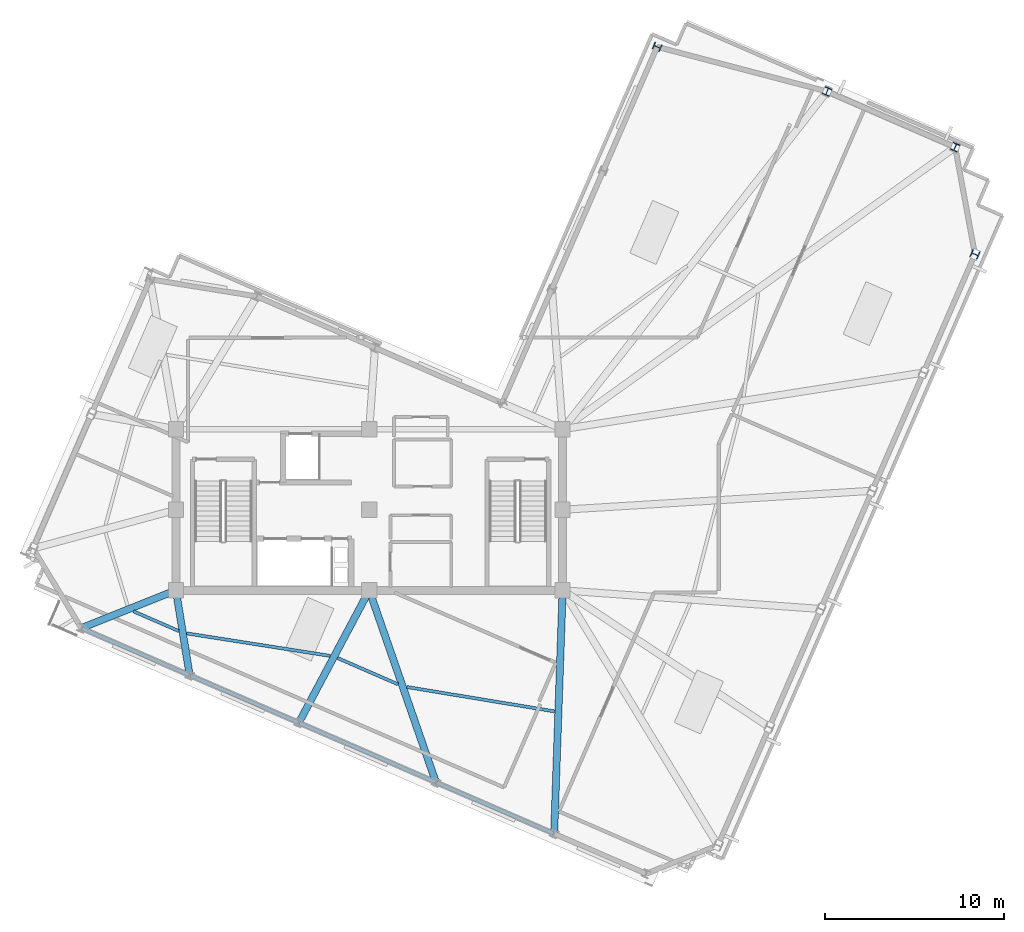
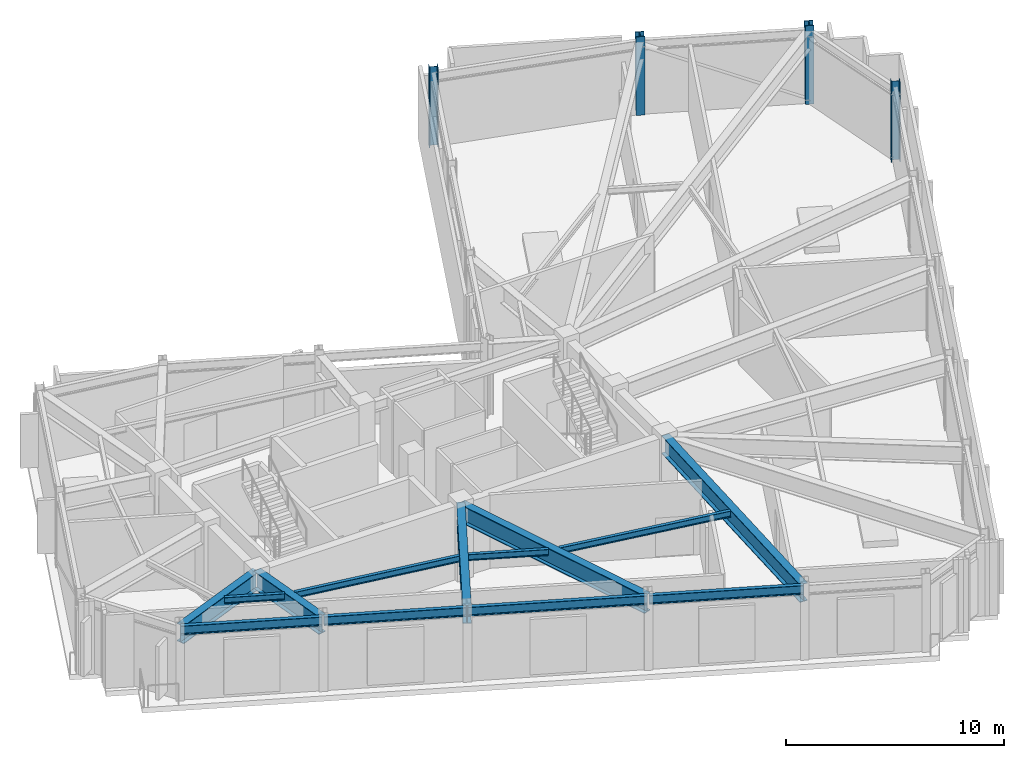
# One storey, part 2 of 11: 13 beams, 4 columns.
"""IFC4 building model written with IfcOpenShell, lengths in metres."""

from ifc_helpers import new_model, si_unit, direction, frame, origin, origin_2d, place, context, subcontext, project, spatial, i_section, extrude, material, material_profile, profile_set, type_object, element, save


model = new_model("IFC4")

# Units and contexts
model_context = context("Model", 3, precision=1e-05, world=origin(), true_north=direction((0.0, 1.0)))
body_context = subcontext(model_context, "Body", "Model", "MODEL_VIEW")
ifc_project = project(units=[si_unit("LENGTHUNIT", "METRE"), si_unit("AREAUNIT", "SQUARE_METRE"), si_unit("VOLUMEUNIT", "CUBIC_METRE"), si_unit("PLANEANGLEUNIT", "RADIAN"), si_unit("MASSUNIT", "GRAM", prefix="KILO")], contexts=[model_context])

# Site, building, storey
site_placement = place(None, origin())
site = spatial("IfcSite", under=ifc_project, at=site_placement, CompositionType="ELEMENT")
building_placement = place(site_placement, origin())
building = spatial("IfcBuilding", under=site, at=building_placement, Name="Gaonmaruhae Medical Tower", CompositionType="ELEMENT")
storey_placement = place(building_placement, frame((0.0, 0.0, 338.199951171875)))
storey = spatial("IfcBuildingStorey", under=building, at=storey_placement, Name="L81", CompositionType="ELEMENT", Elevation=338.199951171875)

# Columns
ifc_material_1 = material(Name="Steel SM420", Category="steel")
ifc_material_profile_1 = material_profile(ifc_material_1, i_section(OverallWidth=0.406982421875, OverallDepth=0.427978515625, WebThickness=0.02001953125, FlangeThickness=0.034912109375, FilletRadius=0.02197265625, at=origin_2d()), Name="H-428x407x20x35")
ifc_profile_set_1 = profile_set([ifc_material_profile_1], Name="Steel SM420")
column_type = type_object("IfcColumnType", Name="SC-01 Crown Plant Steel Column (H-428x407x20x35)", PredefinedType="COLUMN", material=ifc_profile_set_1)
for number, where, z_axis, x_axis, name in (
    (1, (58.630126953125, 26.565673828125, 0.001953125), (0.0, 0.0, 1.0), (0.398749068925, 0.917060074385, 0.0), "L81 Perimeter Tube Column S06"),
    (2, (57.525634765625, 32.552734375, 0.001953125), (0.0, 0.0, 1.0), (-0.917060074385, 0.398749068925, 0.0), "L81 Perimeter Tube Column E01"),
    (3, (50.372802734375, 35.662841796875, 0.001953125), (0.0, 0.0, 1.0), (-0.917060074385, 0.398749068925, 0.0), "L81 Perimeter Tube Column E02"),
    (4, (40.879150390625, 38.155029296875, 0.001953125), (0.0, 0.0, 1.0), (0.398749068925, 0.917060074385, 0.0), "L81 Perimeter Tube Column E03"),
):
    element("IfcColumn", number, at=place(storey_placement, frame(where, z_axis=z_axis, x_axis=x_axis)), inside=storey, type_object=column_type, Name=name, PredefinedType="COLUMN", context=body_context, shape_type="SweptSolid", body=[
        extrude(i_section(OverallWidth=0.406982421875, OverallDepth=0.427978515625, WebThickness=0.02001953125, FlangeThickness=0.034912109375, FilletRadius=0.02197265625, at=origin_2d()), origin(), (0.0, 0.0, 1.0), 4.396240234375),
    ])

# Beams
ifc_material_profile_2 = material_profile(ifc_material_1, i_section(OverallWidth=0.39990234375, OverallDepth=1.0, WebThickness=0.02197265625, FlangeThickness=0.035888671875, at=origin_2d()), Name="BH-1000x400x22x36")
ifc_profile_set_2 = profile_set([ifc_material_profile_2], Name="Steel SM420")
beam_type_1 = type_object("IfcBeamType", Name="BG-02 Refuge Floor Primary Girder (BH-1000x400x22x36)", PredefinedType="BEAM", material=ifc_profile_set_2)
beam_1_placement = place(storey_placement, frame((13.95361328125, 7.781494140625, 3.60009765625), z_axis=(-0.928579037594, -0.371134707272, 0.0), x_axis=(0.371134707272, -0.928579037594, 0.0)))
element("IfcBeam", 5, at=beam_1_placement, inside=storey, type_object=beam_type_1, Name="L81 Radial Primary Girder W01", PredefinedType="BEAM", context=body_context, shape_type="SweptSolid", body=[
    extrude(i_section(OverallWidth=0.39990234375, OverallDepth=1.0, WebThickness=0.02197265625, FlangeThickness=0.035888671875, at=origin_2d()), origin(), (0.0, 0.0, 1.0), 5.591552734375),
])
beam_2_placement = place(storey_placement, frame((14.008056640625, 7.750732421875, 3.60009765625), z_axis=(0.159685869984, -0.987167879809, 0.0), x_axis=(0.987167879809, 0.159685869984, 0.0)))
element("IfcBeam", 6, at=beam_2_placement, inside=storey, type_object=beam_type_1, Name="L81 Radial Primary Girder W02", PredefinedType="BEAM", context=body_context, shape_type="SweptSolid", body=[
    extrude(i_section(OverallWidth=0.39990234375, OverallDepth=1.0, WebThickness=0.02197265625, FlangeThickness=0.035888671875, at=origin_2d()), origin(), (0.0, 0.0, 1.0), 4.705810546875),
])
beam_3_placement = place(storey_placement, frame((24.776611328125, 7.755859375, 3.60009765625), z_axis=(-0.469618843189, -0.882869266722, 0.0), x_axis=(0.882869266722, -0.469618843189, 0.0)))
element("IfcBeam", 7, at=beam_3_placement, inside=storey, type_object=beam_type_1, Name="L81 Radial Primary Girder W03", PredefinedType="BEAM", context=body_context, shape_type="SweptSolid", body=[
    extrude(i_section(OverallWidth=0.39990234375, OverallDepth=1.0, WebThickness=0.02197265625, FlangeThickness=0.035888671875, at=origin_2d()), origin(), (0.0, 0.0, 1.0), 8.27685546875),
])
beam_4_placement = place(storey_placement, frame((24.81640625, 7.752685546875, 3.60009765625), z_axis=(0.327964362011, -0.944690095878, 0.0), x_axis=(0.944690095878, 0.327964362011, 0.0)))
element("IfcBeam", 8, at=beam_4_placement, inside=storey, type_object=beam_type_1, Name="L81 Radial Primary Girder W04", PredefinedType="BEAM", context=body_context, shape_type="SweptSolid", body=[
    extrude(i_section(OverallWidth=0.39990234375, OverallDepth=1.0, WebThickness=0.02197265625, FlangeThickness=0.035888671875, at=origin_2d()), origin(), (0.0, 0.0, 1.0), 11.253173828125),
])
beam_5_placement = place(storey_placement, frame((35.59814453125, 7.75, 3.60009765625), z_axis=(-0.034800997703, -0.99939426182, 0.0), x_axis=(0.99939426182, -0.034800997703, 0.0)))
element("IfcBeam", 9, at=beam_5_placement, inside=storey, type_object=beam_type_1, Name="L81 Radial Primary Girder W05", PredefinedType="BEAM", context=body_context, shape_type="SweptSolid", body=[
    extrude(i_section(OverallWidth=0.39990234375, OverallDepth=1.0, WebThickness=0.02197265625, FlangeThickness=0.035888671875, at=origin_2d()), origin(), (0.0, 0.0, 1.0), 13.504638671875),
])
ifc_material_2 = material(Name="Steel SM355", Category="steel")
ifc_material_profile_3 = material_profile(ifc_material_2, i_section(OverallWidth=0.175048828125, OverallDepth=0.35009765625, WebThickness=0.007080078125, FlangeThickness=0.010986328125, FilletRadius=0.012939453125, at=origin_2d()), Name="H-350x175x7x11")
ifc_profile_set_3 = profile_set([ifc_material_profile_3], Name="Steel SM355")
beam_type_2 = type_object("IfcBeamType", Name="FJ-02 Upper Zone Ward Floor Joist (H-350x175x7x11)", PredefinedType="JOIST", material=ifc_profile_set_3)
beam_6_placement = place(storey_placement, frame((11.62109375, 6.629150390625, 3.925048828125), z_axis=(0.917075663277, -0.398713215012, 0.0), x_axis=(0.398713215012, 0.917075663277, 0.0)))
element("IfcBeam", 10, at=beam_6_placement, inside=storey, type_object=beam_type_2, Name="L81 Secondary Floor Joist FJ15", PredefinedType="JOIST", context=body_context, shape_type="SweptSolid", body=[
    extrude(i_section(OverallWidth=0.175048828125, OverallDepth=0.35009765625, WebThickness=0.007080078125, FlangeThickness=0.010986328125, FilletRadius=0.012939453125, at=origin_2d()), origin(), (0.0, 0.0, 1.0), 2.768798828125),
])
beam_7_placement = place(storey_placement, frame((14.59765625, 5.39453125, 3.925048828125), z_axis=(0.9879068852, -0.15504833496, 0.0), x_axis=(0.15504833496, 0.9879068852, 0.0)))
element("IfcBeam", 11, at=beam_7_placement, inside=storey, type_object=beam_type_2, Name="L81 Secondary Floor Joist FJ16", PredefinedType="JOIST", context=body_context, shape_type="SweptSolid", body=[
    extrude(i_section(OverallWidth=0.175048828125, OverallDepth=0.35009765625, WebThickness=0.007080078125, FlangeThickness=0.010986328125, FilletRadius=0.012939453125, at=origin_2d()), origin(), (0.0, 0.0, 1.0), 8.11865234375),
])
beam_8_placement = place(storey_placement, frame((23.0224609375, 4.019775390625, 3.925048828125), z_axis=(0.91705533197, -0.398759975555, 0.0), x_axis=(0.398759975555, 0.91705533197, 0.0)))
element("IfcBeam", 12, at=beam_8_placement, inside=storey, type_object=beam_type_2, Name="L81 Secondary Floor Joist FJ17", PredefinedType="JOIST", context=body_context, shape_type="SweptSolid", body=[
    extrude(i_section(OverallWidth=0.175048828125, OverallDepth=0.35009765625, WebThickness=0.007080078125, FlangeThickness=0.010986328125, FilletRadius=0.012939453125, at=origin_2d()), origin(), (0.0, 0.0, 1.0), 3.690673828125),
])
beam_9_placement = place(storey_placement, frame((26.892333984375, 2.3994140625, 3.925048828125), z_axis=(0.986661186603, -0.162787293274, 0.0), x_axis=(0.162787293274, 0.986661186603, 0.0)))
element("IfcBeam", 13, at=beam_9_placement, inside=storey, type_object=beam_type_2, Name="L81 Secondary Floor Joist FJ18", PredefinedType="JOIST", context=body_context, shape_type="SweptSolid", body=[
    extrude(i_section(OverallWidth=0.175048828125, OverallDepth=0.35009765625, WebThickness=0.007080078125, FlangeThickness=0.010986328125, FilletRadius=0.012939453125, at=origin_2d()), origin(), (0.0, 0.0, 1.0), 8.377685546875),
])
ifc_material_profile_4 = material_profile(ifc_material_2, i_section(OverallWidth=0.199951171875, OverallDepth=0.5, WebThickness=0.010009765625, FlangeThickness=0.01611328125, FilletRadius=0.012939453125, at=origin_2d()), Name="H-500x200x10x16")
ifc_profile_set_4 = profile_set([ifc_material_profile_4], Name="Steel SM355")
beam_type_3 = type_object("IfcBeamType", Name="SP-02 Upper Perimeter Spandrel Beam (H-500x200x10x16)", PredefinedType="SPANDREL", material=ifc_profile_set_4)
beam_10_placement = place(storey_placement, frame((8.751708984375, 5.671630859375, 3.85009765625), z_axis=(0.917059935749, -0.398749387767, 0.0), x_axis=(0.398749387767, 0.917059935749, 0.0)))
element("IfcBeam", 14, at=beam_10_placement, inside=storey, type_object=beam_type_3, Name="L81 Perimeter Spandrel Beam W01-W02", PredefinedType="SPANDREL", context=body_context, shape_type="SweptSolid", body=[
    extrude(i_section(OverallWidth=0.199951171875, OverallDepth=0.5, WebThickness=0.010009765625, FlangeThickness=0.01611328125, FilletRadius=0.012939453125, at=origin_2d()), origin(), (0.0, 0.0, 1.0), 6.52001953125),
])
beam_11_placement = place(storey_placement, frame((14.80419921875, 3.0400390625, 3.85009765625), z_axis=(0.917056468028, -0.398757362876, 0.0), x_axis=(0.398757362876, 0.917056468028, 0.0)))
element("IfcBeam", 15, at=beam_11_placement, inside=storey, type_object=beam_type_3, Name="L81 Perimeter Spandrel Beam W02-W03", PredefinedType="SPANDREL", context=body_context, shape_type="SweptSolid", body=[
    extrude(i_section(OverallWidth=0.199951171875, OverallDepth=0.5, WebThickness=0.010009765625, FlangeThickness=0.01611328125, FilletRadius=0.012939453125, at=origin_2d()), origin(), (0.0, 0.0, 1.0), 6.570068359375),
])
beam_12_placement = place(storey_placement, frame((20.90283203125, 0.388427734375, 3.85009765625), z_axis=(0.917049404199, -0.398773607775, 0.0), x_axis=(0.398773607775, 0.917049404199, 0.0)))
element("IfcBeam", 16, at=beam_12_placement, inside=storey, type_object=beam_type_3, Name="L81 Perimeter Spandrel Beam W03-W04", PredefinedType="SPANDREL", context=body_context, shape_type="SweptSolid", body=[
    extrude(i_section(OverallWidth=0.199951171875, OverallDepth=0.5, WebThickness=0.010009765625, FlangeThickness=0.01611328125, FilletRadius=0.012939453125, at=origin_2d()), origin(), (0.0, 0.0, 1.0), 8.27001953125),
])
beam_13_placement = place(storey_placement, frame((28.560302734375, -2.941162109375, 3.85009765625), z_axis=(0.917055336493, -0.398759965154, 0.0), x_axis=(0.398759965154, 0.917055336493, 0.0)))
element("IfcBeam", 17, at=beam_13_placement, inside=storey, type_object=beam_type_3, Name="L81 Perimeter Spandrel Beam W04-W05", PredefinedType="SPANDREL", context=body_context, shape_type="SweptSolid", body=[
    extrude(i_section(OverallWidth=0.199951171875, OverallDepth=0.5, WebThickness=0.010009765625, FlangeThickness=0.01611328125, FilletRadius=0.012939453125, at=origin_2d()), origin(), (0.0, 0.0, 1.0), 7.119873046875),
])

save(model, "model.ifc")
